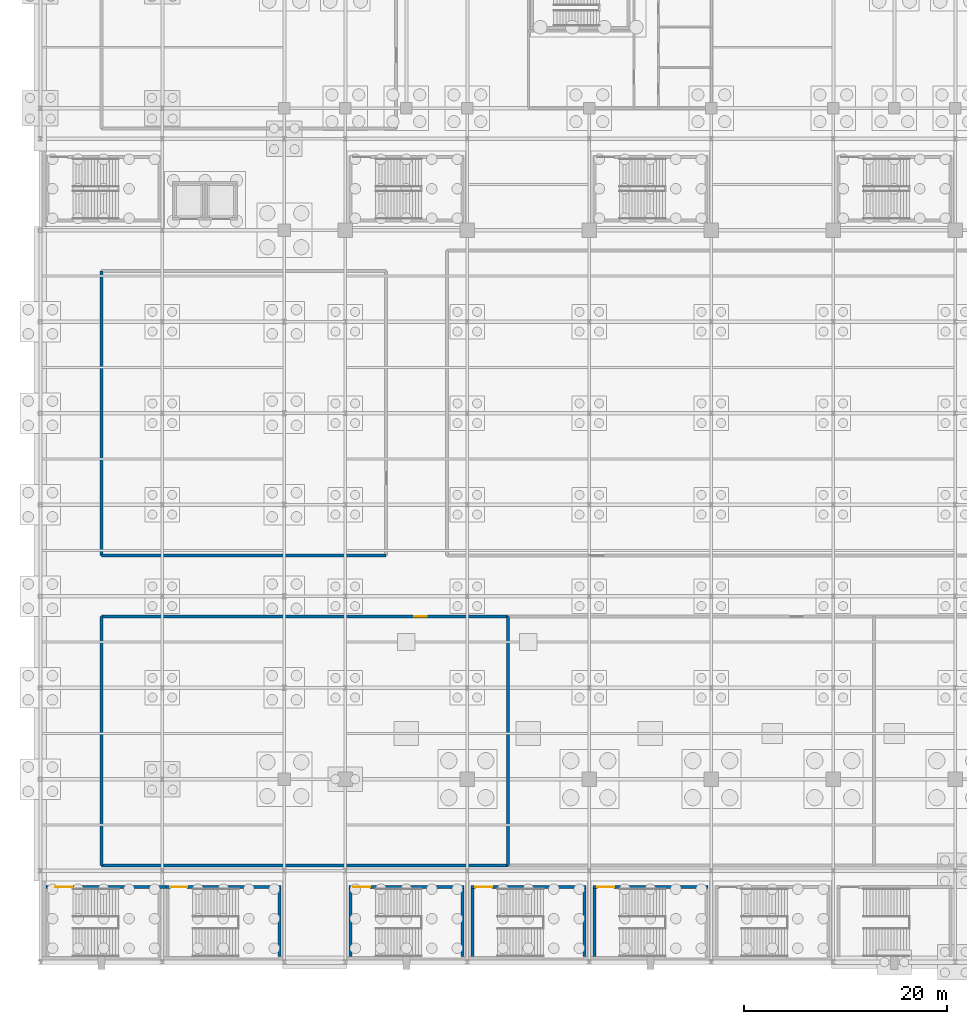
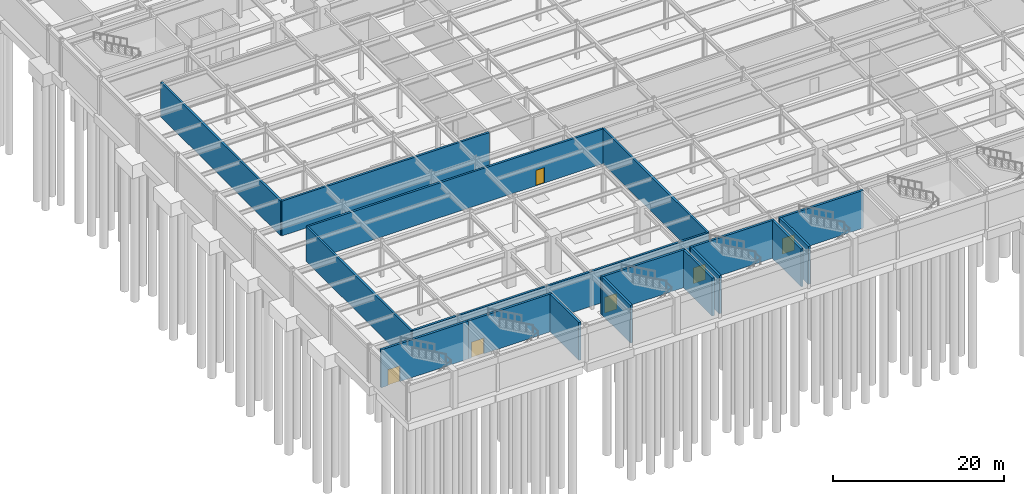
# One storey, part 23 of 47: 17 walls, 6 doors, 6 openings.
"""IFC4 building model written with IfcOpenShell, lengths in metres."""

from ifc_helpers import new_model, si_unit, direction, frame, frame_2d, origin, place, context, subcontext, project, spatial, rectangle, extrude, material, layer, layer_set, type_object, element, fill, save


model = new_model("IFC4")

# Units and contexts
model_context = context("Model", 3, precision=1e-05, world=origin(), true_north=direction((0.0, 1.0)))
body_context = subcontext(model_context, "Body", "Model", "MODEL_VIEW")
ifc_project = project(units=[si_unit("LENGTHUNIT", "METRE"), si_unit("AREAUNIT", "SQUARE_METRE"), si_unit("VOLUMEUNIT", "CUBIC_METRE"), si_unit("PLANEANGLEUNIT", "RADIAN"), si_unit("MASSUNIT", "GRAM", prefix="KILO")], contexts=[model_context])

# Site, building, storey
site_placement = place(None, origin())
site = spatial("IfcSite", under=ifc_project, at=site_placement, CompositionType="ELEMENT")
building_placement = place(site_placement, origin())
building = spatial("IfcBuilding", under=site, at=building_placement, Name="Kaldorvane Square Convention Centre", CompositionType="ELEMENT")
storey_placement = place(building_placement, frame((0.0, 0.0, -5.399993896484375)))
storey = spatial("IfcBuildingStorey", under=building, at=storey_placement, Name="B01", CompositionType="ELEMENT", Elevation=-5.399993896484375)

# Walls
ifc_material_1 = material(Name="Reinforced Concrete Masonry Acoustic Partition", Category="masonry")
ifc_layer_1 = layer(ifc_material_1, 0.279998779296875)
ifc_layer_set_1 = layer_set([ifc_layer_1], Name="Reinforced Concrete Masonry Acoustic Partition")
wall_type_1 = type_object("IfcWallType", Name="WL-ACO-280", PredefinedType="PARTITIONING", material=ifc_layer_set_1)
wall_1_placement = place(storey_placement, frame((6.0, 9.5, 0.0), z_axis=(0.0, 0.0, 1.0), x_axis=(1.0, 0.0, 0.0)))
element("IfcWall", 1, at=wall_1_placement, inside=storey, type_object=wall_type_1, Name="Central Chiller and Ice-Storage Plant Room S Wall", PredefinedType="PARTITIONING", context=body_context, shape_type="SweptSolid", body=[
    extrude(rectangle(XDim=40.0, YDim=0.279998779296875, at=frame_2d((20.0, 0.0))), origin(), (0.0, 0.0, 1.0), 4.959991455078125),
])
wall_2_placement = place(storey_placement, frame((46.0, 9.5, 0.0), z_axis=(0.0, 0.0, 1.0), x_axis=(0.0, 1.0, 0.0)))
element("IfcWall", 2, at=wall_2_placement, inside=storey, type_object=wall_type_1, Name="Central Chiller and Ice-Storage Plant Room E Wall", PredefinedType="PARTITIONING", context=body_context, shape_type="SweptSolid", body=[
    extrude(rectangle(XDim=24.5, YDim=0.279998779296875, at=frame_2d((12.25, 0.0))), origin(), (0.0, 0.0, 1.0), 4.959991455078125),
])

# Wall, opening, door
wall_3_placement = place(storey_placement, frame((46.0, 34.0, 0.0), z_axis=(0.0, 0.0, 1.0), x_axis=(-1.0, 0.0, 0.0)))
wall_3 = element("IfcWall", 3, at=wall_3_placement, inside=storey, type_object=wall_type_1, Name="Central Chiller and Ice-Storage Plant Room N Wall", PredefinedType="PARTITIONING", context=body_context, shape_type="SweptSolid", body=[
    extrude(rectangle(XDim=40.0, YDim=0.279998779296875, at=frame_2d((20.0, 0.0))), origin(), (0.0, 0.0, 1.0), 4.959991455078125),
])
opening_1_placement = place(wall_3_placement, frame((8.0, 0.0, 0.0)))
opening_1 = element("IfcOpeningElement", 4, at=opening_1_placement, cuts=wall_3, Name="Opening ID-14", PredefinedType="OPENING", context=body_context, shape_type="SweptSolid", body=[
    extrude(rectangle(XDim=1.1999969482421875, YDim=2.1999969482421875, at=frame_2d((0.600006103515625, 1.100006103515625))), frame((0.0, 0.154998779296875, 0.0), z_axis=(0.0, -1.0, 0.0), x_axis=(1.0, 0.0, 0.0)), (0.0, 0.0, 1.0), 0.30999755859375),
])
ifc_material_2 = material(Name="Insulated Hollow Metal Steel", Category="steel")
door_type_1 = type_object("IfcDoorType", Name="DR-PLANT-1200X2200", OperationType="SINGLE_SWING_LEFT", PredefinedType="DOOR", material=ifc_material_2)
door_1_placement = place(opening_1_placement, origin())
door_1 = element("IfcDoor", 5, at=door_1_placement, inside=storey, type_object=door_type_1, Name="Central Chiller and Ice-Storage Plant Room Door 1", OperationType="SINGLE_SWING_LEFT", OverallHeight=2.1999969482421875, OverallWidth=1.1999969482421875, PredefinedType="DOOR", context=body_context, shape_type="SweptSolid", body=[
    extrude(rectangle(XDim=1.1999969482421875, YDim=2.1999969482421875, at=frame_2d((0.600006103515625, 1.100006103515625))), frame((0.0, 0.024993896484375, 0.0), z_axis=(0.0, -1.0, 0.0), x_axis=(1.0, 0.0, 0.0)), (0.0, 0.0, 1.0), 0.0500030517578125),
])
fill(opening_1, door_1)

# Walls
wall_4_placement = place(storey_placement, frame((6.0, 34.0, 0.0), z_axis=(0.0, 0.0, 1.0), x_axis=(0.0, -1.0, 0.0)))
element("IfcWall", 6, at=wall_4_placement, inside=storey, type_object=wall_type_1, Name="Central Chiller and Ice-Storage Plant Room W Wall", PredefinedType="PARTITIONING", context=body_context, shape_type="SweptSolid", body=[
    extrude(rectangle(XDim=24.5, YDim=0.279998779296875, at=frame_2d((12.25, 0.0))), origin(), (0.0, 0.0, 1.0), 4.959991455078125),
])
for number, where, z_axis, x_axis, name in (
    (7, (6.0, 40.0, 0.0), (0.0, 0.0, 1.0), (1.0, 0.0, 0.0), "Fire Pump and Domestic Booster Water Room S Wall"),
    (8, (6.0, 68.0, 0.0), (0.0, 0.0, 1.0), (0.0, -1.0, 0.0), "Fire Pump and Domestic Booster Water Room W Wall"),
):
    element("IfcWall", number, at=place(storey_placement, frame(where, z_axis=z_axis, x_axis=x_axis)), inside=storey, type_object=wall_type_1, Name=name, PredefinedType="PARTITIONING", context=body_context, shape_type="SweptSolid", body=[
        extrude(rectangle(XDim=28.0, YDim=0.279998779296875, at=frame_2d((14.0, 0.0))), origin(), (0.0, 0.0, 1.0), 4.959991455078125),
    ])

# Wall, opening, door
ifc_material_3 = material(Name="Concrete f'c = 55 MPa (Normalweight)", Category="concrete")
ifc_layer_2 = layer(ifc_material_3, 0.3000030517578125)
ifc_layer_set_2 = layer_set([ifc_layer_2], Name="Concrete f'c = 55 MPa (Normalweight)")
wall_type_2 = type_object("IfcWallType", Name="WL-SHAFT-300", PredefinedType="SHEAR", material=ifc_layer_set_2)
wall_5_placement = place(storey_placement, frame((12.339996337890625, 7.410003662109375, 0.0), z_axis=(0.0, 0.0, 1.0), x_axis=(-1.0, 0.0, 0.0)))
wall_5 = element("IfcWall", 9, at=wall_5_placement, inside=storey, type_object=wall_type_2, Name="Core Enclosure Wall stair:ST-C1-N (B01)", PredefinedType="SHEAR", context=body_context, shape_type="SweptSolid", body=[
    extrude(rectangle(XDim=11.779998779296875, YDim=0.3000030517578125, at=frame_2d((5.8899993896484375, 0.0))), origin(), (0.0, 0.0, 1.0), 5.399993896484375),
])
opening_2_placement = place(wall_5_placement, frame((9.220001220703125, 0.0, 0.0)))
opening_2 = element("IfcOpeningElement", 10, at=opening_2_placement, cuts=wall_5, Name="Opening FD90-S2", PredefinedType="OPENING", context=body_context, shape_type="SweptSolid", body=[
    extrude(rectangle(XDim=1.649993896484375, YDim=2.25, at=frame_2d((0.8249969482421875, 1.125))), frame((0.0, 0.165008544921875, 0.0), z_axis=(0.0, -1.0, 0.0), x_axis=(1.0, 0.0, 0.0)), (0.0, 0.0, 1.0), 0.3300018310546875),
])
ifc_material_4 = material(Name="Fire-Rated Hollow Metal Steel", Category="steel")
door_type_2 = type_object("IfcDoorType", Name="DR-STAIR-1650", OperationType="DOUBLE_DOOR_SINGLE_SWING", PredefinedType="DOOR", material=ifc_material_4)
door_2_placement = place(opening_2_placement, origin())
door_2 = element("IfcDoor", 11, at=door_2_placement, inside=storey, type_object=door_type_2, Name="Convention Exit Stair C1 Fire Door (B01)", OperationType="DOUBLE_DOOR_SINGLE_SWING", OverallHeight=2.25, OverallWidth=1.649993896484375, PredefinedType="DOOR", context=body_context, shape_type="SweptSolid", body=[
    extrude(rectangle(XDim=1.649993896484375, YDim=2.25, at=frame_2d((0.8249969482421875, 1.125))), frame((0.0, 0.024993896484375, 0.0), z_axis=(0.0, -1.0, 0.0), x_axis=(1.0, 0.0, 0.0)), (0.0, 0.0, 1.0), 0.0500030517578125),
])
fill(opening_2, door_2)

wall_6_placement = place(storey_placement, frame((23.660003662109375, 7.410003662109375, 0.0), z_axis=(0.0, 0.0, 1.0), x_axis=(-1.0, 0.0, 0.0)))
wall_6 = element("IfcWall", 12, at=wall_6_placement, inside=storey, type_object=wall_type_2, Name="Core Enclosure Wall stair:ST-C2-N (B01)", PredefinedType="SHEAR", context=body_context, shape_type="SweptSolid", body=[
    extrude(rectangle(XDim=11.32000732421875, YDim=0.3000030517578125, at=frame_2d((5.660003662109375, 0.0))), origin(), (0.0, 0.0, 1.0), 5.399993896484375),
])
opening_3_placement = place(wall_6_placement, frame((9.220001220703125, 0.0, 0.0)))
opening_3 = element("IfcOpeningElement", 13, at=opening_3_placement, cuts=wall_6, Name="Opening FD90-S2", PredefinedType="OPENING", context=body_context, shape_type="SweptSolid", body=[
    extrude(rectangle(XDim=1.649993896484375, YDim=2.25, at=frame_2d((0.8249969482421875, 1.125))), frame((0.0, 0.165008544921875, 0.0), z_axis=(0.0, -1.0, 0.0), x_axis=(1.0, 0.0, 0.0)), (0.0, 0.0, 1.0), 0.3300018310546875),
])
door_3_placement = place(opening_3_placement, origin())
door_3 = element("IfcDoor", 14, at=door_3_placement, inside=storey, type_object=door_type_2, Name="Convention Exit Stair C2 Fire Door (B01)", OperationType="DOUBLE_DOOR_SINGLE_SWING", OverallHeight=2.25, OverallWidth=1.649993896484375, PredefinedType="DOOR", context=body_context, shape_type="SweptSolid", body=[
    extrude(rectangle(XDim=1.649993896484375, YDim=2.25, at=frame_2d((0.8249969482421875, 1.125))), frame((0.0, 0.024993896484375, 0.0), z_axis=(0.0, -1.0, 0.0), x_axis=(1.0, 0.0, 0.0)), (0.0, 0.0, 1.0), 0.0500030517578125),
])
fill(opening_3, door_3)

# Wall
wall_7_placement = place(storey_placement, frame((23.509994506835938, 0.5500030517578125, 0.0), z_axis=(0.0, 0.0, 1.0), x_axis=(0.0, 1.0, 0.0)))
element("IfcWall", 15, at=wall_7_placement, inside=storey, type_object=wall_type_2, Name="Core Enclosure Wall stair:ST-C2-E (B01)", PredefinedType="SHEAR", context=body_context, shape_type="SweptSolid", body=[
    extrude(rectangle(XDim=6.709991455078125, YDim=0.3000030517578125, at=frame_2d((3.3549957275390625, 0.0))), origin(), (0.0, 0.0, 1.0), 5.399993896484375),
])

# Wall, opening, door
wall_8_placement = place(storey_placement, frame((41.660003662109375, 7.410003662109375, 0.0), z_axis=(0.0, 0.0, 1.0), x_axis=(-1.0, 0.0, 0.0)))
wall_8 = element("IfcWall", 16, at=wall_8_placement, inside=storey, type_object=wall_type_2, Name="Core Enclosure Wall stair:ST-C3-N (B01)", PredefinedType="SHEAR", context=body_context, shape_type="SweptSolid", body=[
    extrude(rectangle(XDim=11.32000732421875, YDim=0.3000030517578125, at=frame_2d((5.660003662109375, 0.0))), origin(), (0.0, 0.0, 1.0), 5.399993896484375),
])
opening_4_placement = place(wall_8_placement, frame((9.220001220703125, 0.0, 0.0)))
opening_4 = element("IfcOpeningElement", 17, at=opening_4_placement, cuts=wall_8, Name="Opening FD90-S2", PredefinedType="OPENING", context=body_context, shape_type="SweptSolid", body=[
    extrude(rectangle(XDim=1.649993896484375, YDim=2.25, at=frame_2d((0.8249969482421875, 1.125))), frame((0.0, 0.165008544921875, 0.0), z_axis=(0.0, -1.0, 0.0), x_axis=(1.0, 0.0, 0.0)), (0.0, 0.0, 1.0), 0.3300018310546875),
])
door_4_placement = place(opening_4_placement, origin())
door_4 = element("IfcDoor", 18, at=door_4_placement, inside=storey, type_object=door_type_2, Name="Convention Exit Stair C3 Fire Door (B01)", OperationType="DOUBLE_DOOR_SINGLE_SWING", OverallHeight=2.25, OverallWidth=1.649993896484375, PredefinedType="DOOR", context=body_context, shape_type="SweptSolid", body=[
    extrude(rectangle(XDim=1.649993896484375, YDim=2.25, at=frame_2d((0.8249969482421875, 1.125))), frame((0.0, 0.024993896484375, 0.0), z_axis=(0.0, -1.0, 0.0), x_axis=(1.0, 0.0, 0.0)), (0.0, 0.0, 1.0), 0.0500030517578125),
])
fill(opening_4, door_4)

# Walls
for number, where, z_axis, x_axis, name in (
    (19, (30.490005493164062, 7.2599945068359375, 0.0), (0.0, 0.0, 1.0), (0.0, -1.0, 0.0), "Core Enclosure Wall stair:ST-C3-W (B01)"),
    (20, (41.50999450683594, 0.5500030517578125, 0.0), (0.0, 0.0, 1.0), (0.0, 1.0, 0.0), "Core Enclosure Wall stair:ST-C3-E (B01)"),
):
    element("IfcWall", number, at=place(storey_placement, frame(where, z_axis=z_axis, x_axis=x_axis)), inside=storey, type_object=wall_type_2, Name=name, PredefinedType="SHEAR", context=body_context, shape_type="SweptSolid", body=[
        extrude(rectangle(XDim=6.709991455078125, YDim=0.3000030517578125, at=frame_2d((3.3549957275390625, 0.0))), origin(), (0.0, 0.0, 1.0), 5.399993896484375),
    ])

# Wall, opening, door
wall_9_placement = place(storey_placement, frame((53.660003662109375, 7.410003662109375, 0.0), z_axis=(0.0, 0.0, 1.0), x_axis=(-1.0, 0.0, 0.0)))
wall_9 = element("IfcWall", 21, at=wall_9_placement, inside=storey, type_object=wall_type_2, Name="Core Enclosure Wall stair:ST-C4-N (B01)", PredefinedType="SHEAR", context=body_context, shape_type="SweptSolid", body=[
    extrude(rectangle(XDim=11.32000732421875, YDim=0.3000030517578125, at=frame_2d((5.660003662109375, 0.0))), origin(), (0.0, 0.0, 1.0), 5.399993896484375),
])
opening_5_placement = place(wall_9_placement, frame((9.220001220703125, 0.0, 0.0)))
opening_5 = element("IfcOpeningElement", 22, at=opening_5_placement, cuts=wall_9, Name="Opening FD90-S2", PredefinedType="OPENING", context=body_context, shape_type="SweptSolid", body=[
    extrude(rectangle(XDim=1.649993896484375, YDim=2.25, at=frame_2d((0.8249969482421875, 1.125))), frame((0.0, 0.165008544921875, 0.0), z_axis=(0.0, -1.0, 0.0), x_axis=(1.0, 0.0, 0.0)), (0.0, 0.0, 1.0), 0.3300018310546875),
])
door_5_placement = place(opening_5_placement, origin())
door_5 = element("IfcDoor", 23, at=door_5_placement, inside=storey, type_object=door_type_2, Name="Convention Exit Stair C4 Fire Door (B01)", OperationType="DOUBLE_DOOR_SINGLE_SWING", OverallHeight=2.25, OverallWidth=1.649993896484375, PredefinedType="DOOR", context=body_context, shape_type="SweptSolid", body=[
    extrude(rectangle(XDim=1.649993896484375, YDim=2.25, at=frame_2d((0.8249969482421875, 1.125))), frame((0.0, 0.024993896484375, 0.0), z_axis=(0.0, -1.0, 0.0), x_axis=(1.0, 0.0, 0.0)), (0.0, 0.0, 1.0), 0.0500030517578125),
])
fill(opening_5, door_5)

# Walls
for number, where, z_axis, x_axis, name in (
    (24, (42.49000549316406, 7.2599945068359375, 0.0), (0.0, 0.0, 1.0), (0.0, -1.0, 0.0), "Core Enclosure Wall stair:ST-C4-W (B01)"),
    (25, (53.50999450683594, 0.5500030517578125, 0.0), (0.0, 0.0, 1.0), (0.0, 1.0, 0.0), "Core Enclosure Wall stair:ST-C4-E (B01)"),
):
    element("IfcWall", number, at=place(storey_placement, frame(where, z_axis=z_axis, x_axis=x_axis)), inside=storey, type_object=wall_type_2, Name=name, PredefinedType="SHEAR", context=body_context, shape_type="SweptSolid", body=[
        extrude(rectangle(XDim=6.709991455078125, YDim=0.3000030517578125, at=frame_2d((3.3549957275390625, 0.0))), origin(), (0.0, 0.0, 1.0), 5.399993896484375),
    ])

# Wall, opening, door
wall_10_placement = place(storey_placement, frame((65.66000366210938, 7.410003662109375, 0.0), z_axis=(0.0, 0.0, 1.0), x_axis=(-1.0, 0.0, 0.0)))
wall_10 = element("IfcWall", 26, at=wall_10_placement, inside=storey, type_object=wall_type_2, Name="Core Enclosure Wall stair:ST-C5-N (B01)", PredefinedType="SHEAR", context=body_context, shape_type="SweptSolid", body=[
    extrude(rectangle(XDim=11.32000732421875, YDim=0.3000030517578125, at=frame_2d((5.660003662109375, 0.0))), origin(), (0.0, 0.0, 1.0), 5.399993896484375),
])
opening_6_placement = place(wall_10_placement, frame((9.220001220703125, 0.0, 0.0)))
opening_6 = element("IfcOpeningElement", 27, at=opening_6_placement, cuts=wall_10, Name="Opening FD90-S2", PredefinedType="OPENING", context=body_context, shape_type="SweptSolid", body=[
    extrude(rectangle(XDim=1.649993896484375, YDim=2.25, at=frame_2d((0.8249969482421875, 1.125))), frame((0.0, 0.165008544921875, 0.0), z_axis=(0.0, -1.0, 0.0), x_axis=(1.0, 0.0, 0.0)), (0.0, 0.0, 1.0), 0.3300018310546875),
])
door_6_placement = place(opening_6_placement, origin())
door_6 = element("IfcDoor", 28, at=door_6_placement, inside=storey, type_object=door_type_2, Name="Convention Exit Stair C5 Fire Door (B01)", OperationType="DOUBLE_DOOR_SINGLE_SWING", OverallHeight=2.25, OverallWidth=1.649993896484375, PredefinedType="DOOR", context=body_context, shape_type="SweptSolid", body=[
    extrude(rectangle(XDim=1.649993896484375, YDim=2.25, at=frame_2d((0.8249969482421875, 1.125))), frame((0.0, 0.024993896484375, 0.0), z_axis=(0.0, -1.0, 0.0), x_axis=(1.0, 0.0, 0.0)), (0.0, 0.0, 1.0), 0.0500030517578125),
])
fill(opening_6, door_6)

# Wall
wall_11_placement = place(storey_placement, frame((54.49000549316406, 7.2599945068359375, 0.0), z_axis=(0.0, 0.0, 1.0), x_axis=(0.0, -1.0, 0.0)))
element("IfcWall", 29, at=wall_11_placement, inside=storey, type_object=wall_type_2, Name="Core Enclosure Wall stair:ST-C5-W (B01)", PredefinedType="SHEAR", context=body_context, shape_type="SweptSolid", body=[
    extrude(rectangle(XDim=6.709991455078125, YDim=0.3000030517578125, at=frame_2d((3.3549957275390625, 0.0))), origin(), (0.0, 0.0, 1.0), 5.399993896484375),
])

save(model, "model.ifc")
